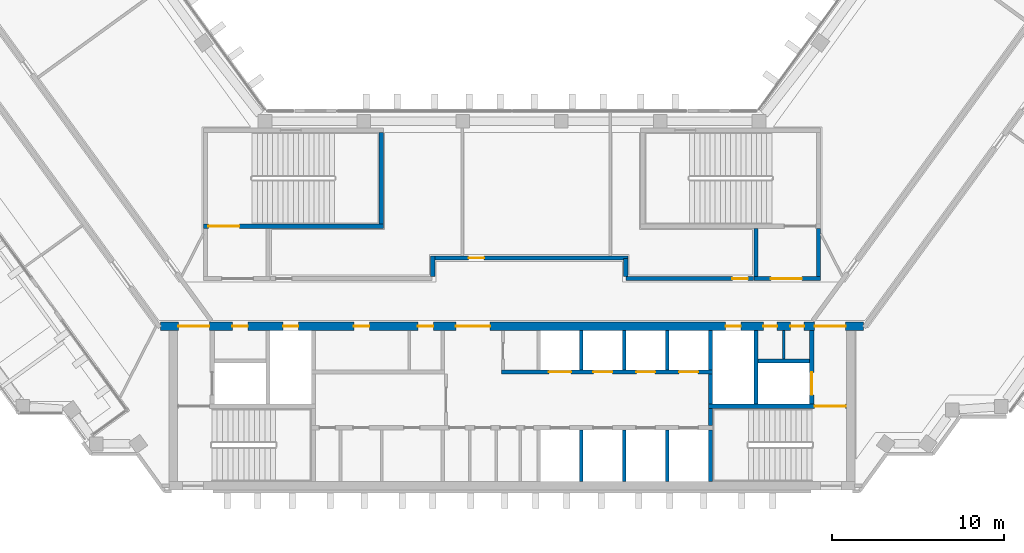
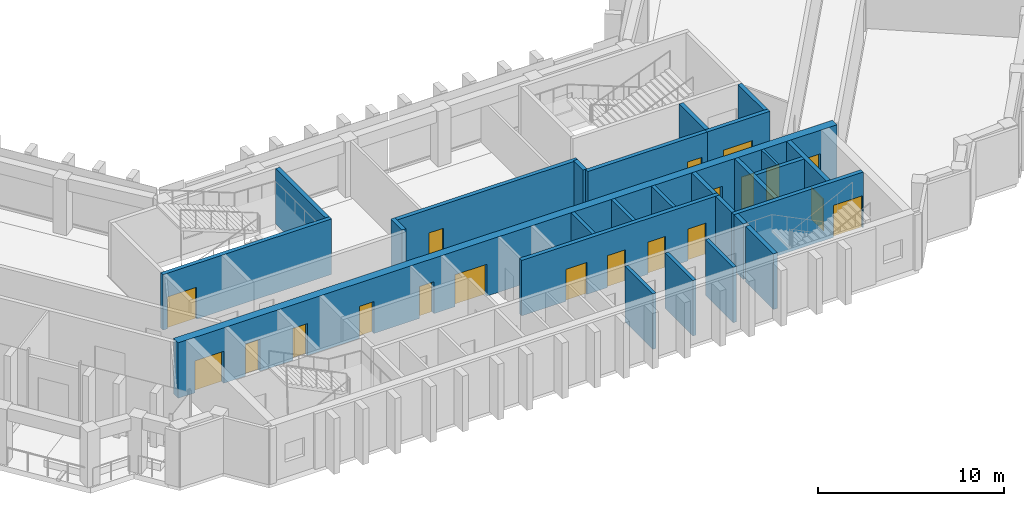
# One storey, part 7 of 12: 26 walls, 20 doors, 20 openings.
"""IFC4 building model written with IfcOpenShell, lengths in metres."""

from ifc_helpers import new_model, si_unit, direction, frame, frame_2d, origin, place, context, subcontext, project, spatial, rectangle, extrude, material, layer, layer_set, type_object, element, fill, save


model = new_model("IFC4")

# Units and contexts
model_context = context("Model", 3, precision=1e-05, world=origin(), true_north=direction((0.0, 1.0)))
body_context = subcontext(model_context, "Body", "Model", "MODEL_VIEW")
ifc_project = project(units=[si_unit("LENGTHUNIT", "METRE"), si_unit("AREAUNIT", "SQUARE_METRE"), si_unit("VOLUMEUNIT", "CUBIC_METRE"), si_unit("PLANEANGLEUNIT", "RADIAN"), si_unit("MASSUNIT", "GRAM", prefix="KILO")], contexts=[model_context])

# Site, building, storey
site_placement = place(None, origin())
site = spatial("IfcSite", under=ifc_project, at=site_placement, CompositionType="ELEMENT")
building_placement = place(site_placement, origin())
building = spatial("IfcBuilding", under=site, at=building_placement, Name="Quipu Civic Tower", CompositionType="ELEMENT")
storey_placement = place(building_placement, frame((0.0, 0.0, 164.0)))
storey = spatial("IfcBuildingStorey", under=building, at=storey_placement, Name="L38", CompositionType="ELEMENT", Elevation=164.0)

# Walls
ifc_material_1 = material(Name="Concrete C70/85", Category="concrete")
ifc_layer_1 = layer(ifc_material_1, 0.25)
ifc_layer_set_1 = layer_set([ifc_layer_1], Name="Concrete C70/85")
wall_type_1 = type_object("IfcWallType", Name="Core wall 250", PredefinedType="SHEAR", material=ifc_layer_set_1)
wall_1_placement = place(storey_placement, frame((11.574951171875, -10.5, 0.0), z_axis=(0.0, 0.0, 1.0), x_axis=(0.0, 1.0, 0.0)))
element("IfcWall", 1, at=wall_1_placement, inside=storey, type_object=wall_type_1, Name="Core wall", PredefinedType="SHEAR", context=body_context, shape_type="SweptSolid", body=[
    extrude(rectangle(XDim=3.0, YDim=0.25, at=frame_2d((1.5, 0.0))), origin(), (0.0, 0.0, 1.0), 3.64990234375),
])
wall_2_placement = place(storey_placement, frame((11.574951171875, -7.25, 0.0), z_axis=(0.0, 0.0, 1.0), x_axis=(0.0, 1.0, 0.0)))
element("IfcWall", 2, at=wall_2_placement, inside=storey, type_object=wall_type_1, Name="Core wall", PredefinedType="SHEAR", context=body_context, shape_type="SweptSolid", body=[
    extrude(rectangle(XDim=1.0, YDim=0.25, at=frame_2d((0.5, 0.0))), origin(), (0.0, 0.0, 1.0), 3.64990234375),
])

# Wall, opening, door
wall_3_placement = place(storey_placement, frame((19.5, -6.125, 0.0), z_axis=(0.0, 0.0, 1.0), x_axis=(-1.0, 0.0, 0.0)))
wall_3 = element("IfcWall", 3, at=wall_3_placement, inside=storey, type_object=wall_type_1, Name="Core wall", PredefinedType="SHEAR", context=body_context, shape_type="SweptSolid", body=[
    extrude(rectangle(XDim=8.050048828125, YDim=0.25, at=frame_2d((4.02490234375, 0.0))), origin(), (0.0, 0.0, 1.0), 3.64990234375),
])
opening_1_placement = place(wall_3_placement, frame((0.050048828125, 0.0, 0.0)))
opening_1 = element("IfcOpeningElement", 4, at=opening_1_placement, cuts=wall_3, Name="Opening CD-09", PredefinedType="OPENING", context=body_context, shape_type="SweptSolid", body=[
    extrude(rectangle(XDim=1.800048828125, YDim=2.10009765625, at=frame_2d((0.89990234375, 1.050048828125))), frame((0.0, 0.135009765625, 0.0), z_axis=(0.0, -1.0, 0.0), x_axis=(1.0, 0.0, 0.0)), (0.0, 0.0, 1.0), 0.27001953125),
])
ifc_material_2 = material(Name="Fire rated steel door", Category="steel")
door_type_1 = type_object("IfcDoorType", Name="Fire door FD90 double 1800 x 2100", OperationType="NOTDEFINED", PredefinedType="DOOR", material=ifc_material_2)
door_1_placement = place(opening_1_placement, origin())
door_1 = element("IfcDoor", 5, at=door_1_placement, inside=storey, type_object=door_type_1, Name="Door", OperationType="DOUBLE_DOOR_SINGLE_SWING", OverallHeight=2.10009765625, OverallWidth=1.800048828125, PredefinedType="DOOR", context=body_context, shape_type="SweptSolid", body=[
    extrude(rectangle(XDim=1.800048828125, YDim=2.10009765625, at=frame_2d((0.89990234375, 1.050048828125))), frame((0.0, 0.02490234375, 0.0), z_axis=(0.0, -1.0, 0.0), x_axis=(1.0, 0.0, 0.0)), (0.0, 0.0, 1.0), 0.050048828125),
])
fill(opening_1, door_1)

# Walls
wall_4_placement = place(storey_placement, frame((11.574951171875, -6.0, 0.0), z_axis=(0.0, 0.0, 1.0), x_axis=(0.0, 1.0, 0.0)))
element("IfcWall", 6, at=wall_4_placement, inside=storey, type_object=wall_type_1, Name="Core wall", PredefinedType="SHEAR", context=body_context, shape_type="SweptSolid", body=[
    extrude(rectangle(XDim=1.75, YDim=0.25, at=frame_2d((0.875, 0.0))), origin(), (0.0, 0.0, 1.0), 3.64990234375),
])
wall_5_placement = place(storey_placement, frame((14.22509765625, -6.0, 0.0), z_axis=(0.0, 0.0, 1.0), x_axis=(0.0, 1.0, 0.0)))
element("IfcWall", 7, at=wall_5_placement, inside=storey, type_object=wall_type_1, Name="Core wall", PredefinedType="SHEAR", context=body_context, shape_type="SweptSolid", body=[
    extrude(rectangle(XDim=4.300048828125, YDim=0.25, at=frame_2d((2.14990234375, 0.0))), origin(), (0.0, 0.0, 1.0), 3.64990234375),
])

# Wall, opening, door
wall_6_placement = place(storey_placement, frame((17.47509765625, -6.0, 0.0), z_axis=(0.0, 0.0, 1.0), x_axis=(0.0, 1.0, 0.0)))
wall_6 = element("IfcWall", 8, at=wall_6_placement, inside=storey, type_object=wall_type_1, Name="Core wall", PredefinedType="SHEAR", context=body_context, shape_type="SweptSolid", body=[
    extrude(rectangle(XDim=4.300048828125, YDim=0.25, at=frame_2d((2.14990234375, 0.0))), origin(), (0.0, 0.0, 1.0), 3.64990234375),
])
opening_2_placement = place(wall_6_placement, frame((0.550048828125, 0.0, 0.0)))
opening_2 = element("IfcOpeningElement", 9, at=opening_2_placement, cuts=wall_6, Name="Opening LD-FF2", PredefinedType="OPENING", context=body_context, shape_type="SweptSolid", body=[
    extrude(rectangle(XDim=1.300048828125, YDim=2.10009765625, at=frame_2d((0.64990234375, 1.050048828125))), frame((0.0, 0.135009765625, 0.0), z_axis=(0.0, -1.0, 0.0), x_axis=(1.0, 0.0, 0.0)), (0.0, 0.0, 1.0), 0.27001953125),
])
ifc_material_3 = material(Name="Stainless steel", Category="steel")
door_type_2 = type_object("IfcDoorType", Name="Lift landing door 1300 x 2100", OperationType="DOUBLE_DOOR_SLIDING", PredefinedType="DOOR", material=ifc_material_3)
door_2_placement = place(opening_2_placement, origin())
door_2 = element("IfcDoor", 10, at=door_2_placement, inside=storey, type_object=door_type_2, Name="Landing door FF2", OperationType="DOUBLE_DOOR_SLIDING", OverallHeight=2.10009765625, OverallWidth=1.300048828125, PredefinedType="DOOR", context=body_context, shape_type="SweptSolid", body=[
    extrude(rectangle(XDim=1.300048828125, YDim=2.10009765625, at=frame_2d((0.64990234375, 1.050048828125))), frame((0.0, 0.02490234375, 0.0), z_axis=(0.0, -1.0, 0.0), x_axis=(1.0, 0.0, 0.0)), (0.0, 0.0, 1.0), 0.050048828125),
])
fill(opening_2, door_2)

# Wall, openings, doors
wall_7_placement = place(storey_placement, frame((-0.60009765625, -4.125, 0.0), z_axis=(0.0, 0.0, 1.0), x_axis=(1.0, 0.0, 0.0)))
wall_7 = element("IfcWall", 11, at=wall_7_placement, inside=storey, type_object=wall_type_1, Name="Core wall", PredefinedType="SHEAR", context=body_context, shape_type="SweptSolid", body=[
    extrude(rectangle(XDim=12.300048828125, YDim=0.25, at=frame_2d((6.14990234375, 0.0))), origin(), (0.0, 0.0, 1.0), 3.64990234375),
])
opening_3_placement = place(wall_7_placement, frame((2.75, 0.0, 0.0)))
opening_3 = element("IfcOpeningElement", 12, at=opening_3_placement, cuts=wall_7, Name="Opening LD-FF3", PredefinedType="OPENING", context=body_context, shape_type="SweptSolid", body=[
    extrude(rectangle(XDim=1.300048828125, YDim=2.10009765625, at=frame_2d((0.64990234375, 1.050048828125))), frame((0.0, 0.135009765625, 0.0), z_axis=(0.0, -1.0, 0.0), x_axis=(1.0, 0.0, 0.0)), (0.0, 0.0, 1.0), 0.27001953125),
])
opening_4_placement = place(wall_7_placement, frame((5.35009765625, 0.0, 0.0)))
opening_4 = element("IfcOpeningElement", 13, at=opening_4_placement, cuts=wall_7, Name="Opening LD-ML5", PredefinedType="OPENING", context=body_context, shape_type="SweptSolid", body=[
    extrude(rectangle(XDim=1.10009765625, YDim=2.10009765625, at=frame_2d((0.550048828125, 1.050048828125))), frame((0.0, 0.135009765625, 0.0), z_axis=(0.0, -1.0, 0.0), x_axis=(1.0, 0.0, 0.0)), (0.0, 0.0, 1.0), 0.27001953125),
])
opening_5_placement = place(wall_7_placement, frame((7.85009765625, 0.0, 0.0)))
opening_5 = element("IfcOpeningElement", 14, at=opening_5_placement, cuts=wall_7, Name="Opening LD-ML6", PredefinedType="OPENING", context=body_context, shape_type="SweptSolid", body=[
    extrude(rectangle(XDim=1.10009765625, YDim=2.10009765625, at=frame_2d((0.550048828125, 1.050048828125))), frame((0.0, 0.135009765625, 0.0), z_axis=(0.0, -1.0, 0.0), x_axis=(1.0, 0.0, 0.0)), (0.0, 0.0, 1.0), 0.27001953125),
])
opening_6_placement = place(wall_7_placement, frame((10.35009765625, 0.0, 0.0)))
opening_6 = element("IfcOpeningElement", 15, at=opening_6_placement, cuts=wall_7, Name="Opening LD-ML7", PredefinedType="OPENING", context=body_context, shape_type="SweptSolid", body=[
    extrude(rectangle(XDim=1.10009765625, YDim=2.10009765625, at=frame_2d((0.550048828125, 1.050048828125))), frame((0.0, 0.135009765625, 0.0), z_axis=(0.0, -1.0, 0.0), x_axis=(1.0, 0.0, 0.0)), (0.0, 0.0, 1.0), 0.27001953125),
])
ifc_material_4 = material(Name="Stainless steel", Category="steel")
door_type_3 = type_object("IfcDoorType", Name="Lift landing door 1100 x 2100", OperationType="DOUBLE_DOOR_SLIDING", PredefinedType="DOOR", material=ifc_material_4)
door_3_placement = place(opening_4_placement, origin())
door_3 = element("IfcDoor", 16, at=door_3_placement, inside=storey, type_object=door_type_3, Name="Landing door ML5", OperationType="DOUBLE_DOOR_SLIDING", OverallHeight=2.10009765625, OverallWidth=1.10009765625, PredefinedType="DOOR", context=body_context, shape_type="SweptSolid", body=[
    extrude(rectangle(XDim=1.10009765625, YDim=2.10009765625, at=frame_2d((0.550048828125, 1.050048828125))), frame((0.0, 0.02490234375, 0.0), z_axis=(0.0, -1.0, 0.0), x_axis=(1.0, 0.0, 0.0)), (0.0, 0.0, 1.0), 0.050048828125),
])
fill(opening_4, door_3)
door_4_placement = place(opening_5_placement, origin())
door_4 = element("IfcDoor", 17, at=door_4_placement, inside=storey, type_object=door_type_3, Name="Landing door ML6", OperationType="DOUBLE_DOOR_SLIDING", OverallHeight=2.10009765625, OverallWidth=1.10009765625, PredefinedType="DOOR", context=body_context, shape_type="SweptSolid", body=[
    extrude(rectangle(XDim=1.10009765625, YDim=2.10009765625, at=frame_2d((0.550048828125, 1.050048828125))), frame((0.0, 0.02490234375, 0.0), z_axis=(0.0, -1.0, 0.0), x_axis=(1.0, 0.0, 0.0)), (0.0, 0.0, 1.0), 0.050048828125),
])
fill(opening_5, door_4)
door_5_placement = place(opening_6_placement, origin())
door_5 = element("IfcDoor", 18, at=door_5_placement, inside=storey, type_object=door_type_3, Name="Landing door ML7", OperationType="DOUBLE_DOOR_SLIDING", OverallHeight=2.10009765625, OverallWidth=1.10009765625, PredefinedType="DOOR", context=body_context, shape_type="SweptSolid", body=[
    extrude(rectangle(XDim=1.10009765625, YDim=2.10009765625, at=frame_2d((0.550048828125, 1.050048828125))), frame((0.0, 0.02490234375, 0.0), z_axis=(0.0, -1.0, 0.0), x_axis=(1.0, 0.0, 0.0)), (0.0, 0.0, 1.0), 0.050048828125),
])
fill(opening_6, door_5)
door_6_placement = place(opening_3_placement, origin())
door_6 = element("IfcDoor", 19, at=door_6_placement, inside=storey, type_object=door_type_2, Name="Landing door FF3", OperationType="DOUBLE_DOOR_SLIDING", OverallHeight=2.10009765625, OverallWidth=1.300048828125, PredefinedType="DOOR", context=body_context, shape_type="SweptSolid", body=[
    extrude(rectangle(XDim=1.300048828125, YDim=2.10009765625, at=frame_2d((0.64990234375, 1.050048828125))), frame((0.0, 0.02490234375, 0.0), z_axis=(0.0, -1.0, 0.0), x_axis=(1.0, 0.0, 0.0)), (0.0, 0.0, 1.0), 0.050048828125),
])
fill(opening_3, door_6)

# Walls
wall_8_placement = place(storey_placement, frame((11.574951171875, -4.0, 0.0), z_axis=(0.0, 0.0, 1.0), x_axis=(0.0, 1.0, 0.0)))
element("IfcWall", 20, at=wall_8_placement, inside=storey, type_object=wall_type_1, Name="Core wall", PredefinedType="SHEAR", context=body_context, shape_type="SweptSolid", body=[
    extrude(rectangle(XDim=2.300048828125, YDim=0.25, at=frame_2d((1.14990234375, 0.0))), origin(), (0.0, 0.0, 1.0), 3.64990234375),
])
wall_9_placement = place(storey_placement, frame((14.35009765625, -3.47509765625, 0.0), z_axis=(0.0, 0.0, 1.0), x_axis=(1.0, 0.0, 0.0)))
element("IfcWall", 21, at=wall_9_placement, inside=storey, type_object=wall_type_1, Name="Core wall", PredefinedType="SHEAR", context=body_context, shape_type="SweptSolid", body=[
    extrude(rectangle(XDim=3.0, YDim=0.25, at=frame_2d((1.5, 0.0))), origin(), (0.0, 0.0, 1.0), 3.64990234375),
])

# Wall, opening, door
wall_10_placement = place(storey_placement, frame((-18.0, 4.375, 0.0), z_axis=(0.0, 0.0, 1.0), x_axis=(1.0, 0.0, 0.0)))
wall_10 = element("IfcWall", 22, at=wall_10_placement, inside=storey, type_object=wall_type_1, Name="Core wall", PredefinedType="SHEAR", context=body_context, shape_type="SweptSolid", body=[
    extrude(rectangle(XDim=10.5, YDim=0.25, at=frame_2d((5.25, 0.0))), origin(), (0.0, 0.0, 1.0), 3.64990234375),
])
opening_7_placement = place(wall_10_placement, frame((0.300048828125, 0.0, 0.0)))
opening_7 = element("IfcOpeningElement", 23, at=opening_7_placement, cuts=wall_10, Name="Opening CD-23", PredefinedType="OPENING", context=body_context, shape_type="SweptSolid", body=[
    extrude(rectangle(XDim=1.800048828125, YDim=2.10009765625, at=frame_2d((0.89990234375, 1.050048828125))), frame((0.0, 0.135009765625, 0.0), z_axis=(0.0, -1.0, 0.0), x_axis=(1.0, 0.0, 0.0)), (0.0, 0.0, 1.0), 0.27001953125),
])
door_7_placement = place(opening_7_placement, origin())
door_7 = element("IfcDoor", 24, at=door_7_placement, inside=storey, type_object=door_type_1, Name="Door", OperationType="DOUBLE_DOOR_SINGLE_SWING", OverallHeight=2.10009765625, OverallWidth=1.800048828125, PredefinedType="DOOR", context=body_context, shape_type="SweptSolid", body=[
    extrude(rectangle(XDim=1.800048828125, YDim=2.10009765625, at=frame_2d((0.89990234375, 1.050048828125))), frame((0.0, 0.02490234375, 0.0), z_axis=(0.0, -1.0, 0.0), x_axis=(1.0, 0.0, 0.0)), (0.0, 0.0, 1.0), 0.050048828125),
])
fill(opening_7, door_7)

# Wall
wall_11_placement = place(storey_placement, frame((-7.625, 4.5, 0.0), z_axis=(0.0, 0.0, 1.0), x_axis=(0.0, 1.0, 0.0)))
element("IfcWall", 25, at=wall_11_placement, inside=storey, type_object=wall_type_1, Name="Core wall", PredefinedType="SHEAR", context=body_context, shape_type="SweptSolid", body=[
    extrude(rectangle(XDim=5.35009765625, YDim=0.25, at=frame_2d((2.675048828125, 0.0))), origin(), (0.0, 0.0, 1.0), 3.64990234375),
])

# Wall, opening, door
wall_12_placement = place(storey_placement, frame((14.10009765625, 1.324951171875, 0.0), z_axis=(0.0, 0.0, 1.0), x_axis=(1.0, 0.0, 0.0)))
wall_12 = element("IfcWall", 26, at=wall_12_placement, inside=storey, type_object=wall_type_1, Name="Core wall", PredefinedType="SHEAR", context=body_context, shape_type="SweptSolid", body=[
    extrude(rectangle(XDim=3.89990234375, YDim=0.25, at=frame_2d((1.949951171875, 0.0))), origin(), (0.0, 0.0, 1.0), 3.64990234375),
])
opening_8_placement = place(wall_12_placement, frame((1.0, 0.0, 0.0)))
opening_8 = element("IfcOpeningElement", 27, at=opening_8_placement, cuts=wall_12, Name="Opening CD-24", PredefinedType="OPENING", context=body_context, shape_type="SweptSolid", body=[
    extrude(rectangle(XDim=1.800048828125, YDim=2.10009765625, at=frame_2d((0.89990234375, 1.050048828125))), frame((0.0, 0.135009765625, 0.0), z_axis=(0.0, -1.0, 0.0), x_axis=(1.0, 0.0, 0.0)), (0.0, 0.0, 1.0), 0.27001953125),
])
door_8_placement = place(opening_8_placement, origin())
door_8 = element("IfcDoor", 28, at=door_8_placement, inside=storey, type_object=door_type_1, Name="Lobby door", OperationType="DOUBLE_DOOR_SINGLE_SWING", OverallHeight=2.10009765625, OverallWidth=1.800048828125, PredefinedType="DOOR", context=body_context, shape_type="SweptSolid", body=[
    extrude(rectangle(XDim=1.800048828125, YDim=2.10009765625, at=frame_2d((0.89990234375, 1.050048828125))), frame((0.0, 0.02490234375, 0.0), z_axis=(0.0, -1.0, 0.0), x_axis=(1.0, 0.0, 0.0)), (0.0, 0.0, 1.0), 0.050048828125),
])
fill(opening_8, door_8)

# Walls
for number, where, z_axis, x_axis, name in (
    (29, (14.22509765625, 1.449951171875, 0.0), (0.0, 0.0, 1.0), (0.0, 1.0, 0.0), "Core wall"),
    (30, (17.875, 1.449951171875, 0.0), (0.0, 0.0, 1.0), (0.0, 1.0, 0.0), "Core wall"),
):
    element("IfcWall", number, at=place(storey_placement, frame(where, z_axis=z_axis, x_axis=x_axis)), inside=storey, type_object=wall_type_1, Name=name, PredefinedType="SHEAR", context=body_context, shape_type="SweptSolid", body=[
        extrude(rectangle(XDim=2.800048828125, YDim=0.25, at=frame_2d((1.39990234375, 0.0))), origin(), (0.0, 0.0, 1.0), 3.64990234375),
    ])

# Wall, openings, doors
ifc_material_5 = material(Name="Concrete C70/85", Category="concrete")
ifc_layer_2 = layer(ifc_material_5, 0.5)
ifc_layer_set_2 = layer_set([ifc_layer_2], Name="Concrete C70/85")
wall_type_2 = type_object("IfcWallType", Name="Core wall 500", PredefinedType="SHEAR", material=ifc_layer_set_2)
wall_13_placement = place(storey_placement, frame((20.489990234375, -1.449951171875, 0.0), z_axis=(0.0, 0.0, 1.0), x_axis=(-1.0, 0.0, 0.0)))
wall_13 = element("IfcWall", 31, at=wall_13_placement, inside=storey, type_object=wall_type_2, Name="Core wall", PredefinedType="SHEAR", context=body_context, shape_type="SweptSolid", body=[
    extrude(rectangle(XDim=40.97998046875, YDim=0.5, at=frame_2d((20.489990234375, 0.0))), origin(), (0.0, 0.0, 1.0), 3.64990234375),
])
opening_9_placement = place(wall_13_placement, frame((38.139892578125, 0.0, 0.0)))
opening_9 = element("IfcOpeningElement", 32, at=opening_9_placement, cuts=wall_13, Name="Opening CD-12", PredefinedType="OPENING", context=body_context, shape_type="SweptSolid", body=[
    extrude(rectangle(XDim=1.800048828125, YDim=2.10009765625, at=frame_2d((0.89990234375, 1.050048828125))), frame((0.0, 0.260009765625, 0.0), z_axis=(0.0, -1.0, 0.0), x_axis=(1.0, 0.0, 0.0)), (0.0, 0.0, 1.0), 0.52001953125),
])
opening_10_placement = place(wall_13_placement, frame((35.889892578125, 0.0, 0.0)))
opening_10 = element("IfcOpeningElement", 33, at=opening_10_placement, cuts=wall_13, Name="Opening CD-13", PredefinedType="OPENING", context=body_context, shape_type="SweptSolid", body=[
    extrude(rectangle(XDim=0.89990234375, YDim=2.10009765625, at=frame_2d((0.449951171875, 1.050048828125))), frame((0.0, 0.260009765625, 0.0), z_axis=(0.0, -1.0, 0.0), x_axis=(1.0, 0.0, 0.0)), (0.0, 0.0, 1.0), 0.52001953125),
])
opening_11_placement = place(wall_13_placement, frame((32.93994140625, 0.0, 0.0)))
opening_11 = element("IfcOpeningElement", 34, at=opening_11_placement, cuts=wall_13, Name="Opening CD-14", PredefinedType="OPENING", context=body_context, shape_type="SweptSolid", body=[
    extrude(rectangle(XDim=0.89990234375, YDim=2.10009765625, at=frame_2d((0.449951171875, 1.050048828125))), frame((0.0, 0.260009765625, 0.0), z_axis=(0.0, -1.0, 0.0), x_axis=(1.0, 0.0, 0.0)), (0.0, 0.0, 1.0), 0.52001953125),
])
opening_12_placement = place(wall_13_placement, frame((28.802490234375, 0.0, 0.0)))
opening_12 = element("IfcOpeningElement", 35, at=opening_12_placement, cuts=wall_13, Name="Opening CD-15", PredefinedType="OPENING", context=body_context, shape_type="SweptSolid", body=[
    extrude(rectangle(XDim=0.89990234375, YDim=2.10009765625, at=frame_2d((0.449951171875, 1.050048828125))), frame((0.0, 0.260009765625, 0.0), z_axis=(0.0, -1.0, 0.0), x_axis=(1.0, 0.0, 0.0)), (0.0, 0.0, 1.0), 0.52001953125),
])
opening_13_placement = place(wall_13_placement, frame((25.077392578125, 0.0, 0.0)))
opening_13 = element("IfcOpeningElement", 36, at=opening_13_placement, cuts=wall_13, Name="Opening CD-16", PredefinedType="OPENING", context=body_context, shape_type="SweptSolid", body=[
    extrude(rectangle(XDim=0.89990234375, YDim=2.10009765625, at=frame_2d((0.449951171875, 1.050048828125))), frame((0.0, 0.260009765625, 0.0), z_axis=(0.0, -1.0, 0.0), x_axis=(1.0, 0.0, 0.0)), (0.0, 0.0, 1.0), 0.52001953125),
])
opening_14_placement = place(wall_13_placement, frame((21.764892578125, 0.0, 0.0)))
opening_14 = element("IfcOpeningElement", 37, at=opening_14_placement, cuts=wall_13, Name="Opening CD-17", PredefinedType="OPENING", context=body_context, shape_type="SweptSolid", body=[
    extrude(rectangle(XDim=2.0, YDim=2.10009765625, at=frame_2d((1.0, 1.050048828125))), frame((0.0, 0.260009765625, 0.0), z_axis=(0.0, -1.0, 0.0), x_axis=(1.0, 0.0, 0.0)), (0.0, 0.0, 1.0), 0.52001953125),
])
opening_15_placement = place(wall_13_placement, frame((7.139892578125, 0.0, 0.0)))
opening_15 = element("IfcOpeningElement", 38, at=opening_15_placement, cuts=wall_13, Name="Opening CD-18", PredefinedType="OPENING", context=body_context, shape_type="SweptSolid", body=[
    extrude(rectangle(XDim=0.89990234375, YDim=2.10009765625, at=frame_2d((0.449951171875, 1.050048828125))), frame((0.0, 0.260009765625, 0.0), z_axis=(0.0, -1.0, 0.0), x_axis=(1.0, 0.0, 0.0)), (0.0, 0.0, 1.0), 0.52001953125),
])
opening_16_placement = place(wall_13_placement, frame((5.027587890625, 0.0, 0.0)))
opening_16 = element("IfcOpeningElement", 39, at=opening_16_placement, cuts=wall_13, Name="Opening CD-19", PredefinedType="OPENING", context=body_context, shape_type="SweptSolid", body=[
    extrude(rectangle(XDim=0.800048828125, YDim=2.10009765625, at=frame_2d((0.39990234375, 1.050048828125))), frame((0.0, 0.260009765625, 0.0), z_axis=(0.0, -1.0, 0.0), x_axis=(1.0, 0.0, 0.0)), (0.0, 0.0, 1.0), 0.52001953125),
])
opening_17_placement = place(wall_13_placement, frame((3.452392578125, 0.0, 0.0)))
opening_17 = element("IfcOpeningElement", 40, at=opening_17_placement, cuts=wall_13, Name="Opening CD-20", PredefinedType="OPENING", context=body_context, shape_type="SweptSolid", body=[
    extrude(rectangle(XDim=0.800048828125, YDim=2.10009765625, at=frame_2d((0.39990234375, 1.050048828125))), frame((0.0, 0.260009765625, 0.0), z_axis=(0.0, -1.0, 0.0), x_axis=(1.0, 0.0, 0.0)), (0.0, 0.0, 1.0), 0.52001953125),
])
opening_18_placement = place(wall_13_placement, frame((1.0400390625, 0.0, 0.0)))
opening_18 = element("IfcOpeningElement", 41, at=opening_18_placement, cuts=wall_13, Name="Opening CD-21", PredefinedType="OPENING", context=body_context, shape_type="SweptSolid", body=[
    extrude(rectangle(XDim=1.800048828125, YDim=2.10009765625, at=frame_2d((0.89990234375, 1.050048828125))), frame((0.0, 0.260009765625, 0.0), z_axis=(0.0, -1.0, 0.0), x_axis=(1.0, 0.0, 0.0)), (0.0, 0.0, 1.0), 0.52001953125),
])
ifc_material_6 = material(Name="Fire rated steel door", Category="steel")
door_type_4 = type_object("IfcDoorType", Name="Fire door FD60 800 x 2100", OperationType="NOTDEFINED", PredefinedType="DOOR", material=ifc_material_6)
door_9_placement = place(opening_16_placement, origin())
door_9 = element("IfcDoor", 42, at=door_9_placement, inside=storey, type_object=door_type_4, Name="Door", OperationType="SINGLE_SWING_LEFT", OverallHeight=2.10009765625, OverallWidth=0.800048828125, PredefinedType="DOOR", context=body_context, shape_type="SweptSolid", body=[
    extrude(rectangle(XDim=0.800048828125, YDim=2.10009765625, at=frame_2d((0.39990234375, 1.050048828125))), frame((0.0, 0.02490234375, 0.0), z_axis=(0.0, -1.0, 0.0), x_axis=(1.0, 0.0, 0.0)), (0.0, 0.0, 1.0), 0.050048828125),
])
fill(opening_16, door_9)
door_10_placement = place(opening_17_placement, origin())
door_10 = element("IfcDoor", 43, at=door_10_placement, inside=storey, type_object=door_type_4, Name="Door", OperationType="SINGLE_SWING_LEFT", OverallHeight=2.10009765625, OverallWidth=0.800048828125, PredefinedType="DOOR", context=body_context, shape_type="SweptSolid", body=[
    extrude(rectangle(XDim=0.800048828125, YDim=2.10009765625, at=frame_2d((0.39990234375, 1.050048828125))), frame((0.0, 0.02490234375, 0.0), z_axis=(0.0, -1.0, 0.0), x_axis=(1.0, 0.0, 0.0)), (0.0, 0.0, 1.0), 0.050048828125),
])
fill(opening_17, door_10)
ifc_material_7 = material(Name="Fire rated steel door", Category="steel")
door_type_5 = type_object("IfcDoorType", Name="Fire door FD60 900 x 2100", OperationType="NOTDEFINED", PredefinedType="DOOR", material=ifc_material_7)
door_11_placement = place(opening_10_placement, origin())
door_11 = element("IfcDoor", 44, at=door_11_placement, inside=storey, type_object=door_type_5, Name="Door", OperationType="SINGLE_SWING_RIGHT", OverallHeight=2.10009765625, OverallWidth=0.89990234375, PredefinedType="DOOR", context=body_context, shape_type="SweptSolid", body=[
    extrude(rectangle(XDim=0.89990234375, YDim=2.10009765625, at=frame_2d((0.449951171875, 1.050048828125))), frame((0.0, 0.02490234375, 0.0), z_axis=(0.0, -1.0, 0.0), x_axis=(1.0, 0.0, 0.0)), (0.0, 0.0, 1.0), 0.050048828125),
])
fill(opening_10, door_11)
door_12_placement = place(opening_11_placement, origin())
door_12 = element("IfcDoor", 45, at=door_12_placement, inside=storey, type_object=door_type_5, Name="Riser door", OperationType="SINGLE_SWING_RIGHT", OverallHeight=2.10009765625, OverallWidth=0.89990234375, PredefinedType="DOOR", context=body_context, shape_type="SweptSolid", body=[
    extrude(rectangle(XDim=0.89990234375, YDim=2.10009765625, at=frame_2d((0.449951171875, 1.050048828125))), frame((0.0, 0.02490234375, 0.0), z_axis=(0.0, -1.0, 0.0), x_axis=(1.0, 0.0, 0.0)), (0.0, 0.0, 1.0), 0.050048828125),
])
fill(opening_11, door_12)
door_13_placement = place(opening_12_placement, origin())
door_13 = element("IfcDoor", 46, at=door_13_placement, inside=storey, type_object=door_type_5, Name="Door", OperationType="SINGLE_SWING_RIGHT", OverallHeight=2.10009765625, OverallWidth=0.89990234375, PredefinedType="DOOR", context=body_context, shape_type="SweptSolid", body=[
    extrude(rectangle(XDim=0.89990234375, YDim=2.10009765625, at=frame_2d((0.449951171875, 1.050048828125))), frame((0.0, 0.02490234375, 0.0), z_axis=(0.0, -1.0, 0.0), x_axis=(1.0, 0.0, 0.0)), (0.0, 0.0, 1.0), 0.050048828125),
])
fill(opening_12, door_13)
door_14_placement = place(opening_13_placement, origin())
door_14 = element("IfcDoor", 47, at=door_14_placement, inside=storey, type_object=door_type_5, Name="Door", OperationType="SINGLE_SWING_RIGHT", OverallHeight=2.10009765625, OverallWidth=0.89990234375, PredefinedType="DOOR", context=body_context, shape_type="SweptSolid", body=[
    extrude(rectangle(XDim=0.89990234375, YDim=2.10009765625, at=frame_2d((0.449951171875, 1.050048828125))), frame((0.0, 0.02490234375, 0.0), z_axis=(0.0, -1.0, 0.0), x_axis=(1.0, 0.0, 0.0)), (0.0, 0.0, 1.0), 0.050048828125),
])
fill(opening_13, door_14)
door_15_placement = place(opening_15_placement, origin())
door_15 = element("IfcDoor", 48, at=door_15_placement, inside=storey, type_object=door_type_5, Name="Riser door", OperationType="SINGLE_SWING_LEFT", OverallHeight=2.10009765625, OverallWidth=0.89990234375, PredefinedType="DOOR", context=body_context, shape_type="SweptSolid", body=[
    extrude(rectangle(XDim=0.89990234375, YDim=2.10009765625, at=frame_2d((0.449951171875, 1.050048828125))), frame((0.0, 0.02490234375, 0.0), z_axis=(0.0, -1.0, 0.0), x_axis=(1.0, 0.0, 0.0)), (0.0, 0.0, 1.0), 0.050048828125),
])
fill(opening_15, door_15)
door_16_placement = place(opening_9_placement, origin())
door_16 = element("IfcDoor", 49, at=door_16_placement, inside=storey, type_object=door_type_1, Name="Lobby door", OperationType="DOUBLE_DOOR_SINGLE_SWING", OverallHeight=2.10009765625, OverallWidth=1.800048828125, PredefinedType="DOOR", context=body_context, shape_type="SweptSolid", body=[
    extrude(rectangle(XDim=1.800048828125, YDim=2.10009765625, at=frame_2d((0.89990234375, 1.050048828125))), frame((0.0, 0.02490234375, 0.0), z_axis=(0.0, -1.0, 0.0), x_axis=(1.0, 0.0, 0.0)), (0.0, 0.0, 1.0), 0.050048828125),
])
fill(opening_9, door_16)
door_17_placement = place(opening_18_placement, origin())
door_17 = element("IfcDoor", 50, at=door_17_placement, inside=storey, type_object=door_type_1, Name="Lobby door", OperationType="DOUBLE_DOOR_SINGLE_SWING", OverallHeight=2.10009765625, OverallWidth=1.800048828125, PredefinedType="DOOR", context=body_context, shape_type="SweptSolid", body=[
    extrude(rectangle(XDim=1.800048828125, YDim=2.10009765625, at=frame_2d((0.89990234375, 1.050048828125))), frame((0.0, 0.02490234375, 0.0), z_axis=(0.0, -1.0, 0.0), x_axis=(1.0, 0.0, 0.0)), (0.0, 0.0, 1.0), 0.050048828125),
])
fill(opening_18, door_17)
ifc_material_8 = material(Name="Fire rated steel door", Category="steel")
door_type_6 = type_object("IfcDoorType", Name="Fire door FD90 double 2000 x 2100", OperationType="NOTDEFINED", PredefinedType="DOOR", material=ifc_material_8)
door_18_placement = place(opening_14_placement, origin())
door_18 = element("IfcDoor", 51, at=door_18_placement, inside=storey, type_object=door_type_6, Name="Lobby door", OperationType="DOUBLE_DOOR_SINGLE_SWING", OverallHeight=2.10009765625, OverallWidth=2.0, PredefinedType="DOOR", context=body_context, shape_type="SweptSolid", body=[
    extrude(rectangle(XDim=2.0, YDim=2.10009765625, at=frame_2d((1.0, 1.050048828125))), frame((0.0, 0.02490234375, 0.0), z_axis=(0.0, -1.0, 0.0), x_axis=(1.0, 0.0, 0.0)), (0.0, 0.0, 1.0), 0.050048828125),
])
fill(opening_14, door_18)

# Wall, opening, door
ifc_material_9 = material(Name="Concrete C50/60", Category="concrete")
ifc_layer_3 = layer(ifc_material_9, 0.25)
ifc_layer_set_3 = layer_set([ifc_layer_3], Name="Concrete C50/60")
wall_type_3 = type_object("IfcWallType", Name="Corridor wall 250 concrete", PredefinedType="SOLIDWALL", material=ifc_layer_set_3)
wall_14_placement = place(storey_placement, frame((6.65869140625, 1.324951171875, 0.0), z_axis=(0.0, 0.0, 1.0), x_axis=(1.0, 0.0, 0.0)))
wall_14 = element("IfcWall", 52, at=wall_14_placement, inside=storey, type_object=wall_type_3, Name="Corridor wall C01", PredefinedType="SOLIDWALL", context=body_context, shape_type="SweptSolid", body=[
    extrude(rectangle(XDim=7.431396484375, YDim=0.25, at=frame_2d((3.7158203125, 0.0))), origin(), (0.0, 0.0, 1.0), 3.64990234375),
])
opening_19_placement = place(wall_14_placement, frame((6.19140625, 0.0, 0.0)))
opening_19 = element("IfcOpeningElement", 53, at=opening_19_placement, cuts=wall_14, Name="Opening D009", PredefinedType="OPENING", context=body_context, shape_type="SweptSolid", body=[
    extrude(rectangle(XDim=0.89990234375, YDim=2.10009765625, at=frame_2d((0.449951171875, 1.050048828125))), frame((0.0, 0.135009765625, 0.0), z_axis=(0.0, -1.0, 0.0), x_axis=(1.0, 0.0, 0.0)), (0.0, 0.0, 1.0), 0.27001953125),
])
ifc_material_10 = material(Name="Fire rated timber door set with metal frame", Category="wood")
door_type_7 = type_object("IfcDoorType", Name="Single door 900 x 2100 FD60", OperationType="NOTDEFINED", PredefinedType="DOOR", material=ifc_material_10)
door_19_placement = place(opening_19_placement, origin())
door_19 = element("IfcDoor", 54, at=door_19_placement, inside=storey, type_object=door_type_7, Name="Door D009", OperationType="SINGLE_SWING_RIGHT", OverallHeight=2.10009765625, OverallWidth=0.89990234375, PredefinedType="DOOR", context=body_context, shape_type="SweptSolid", body=[
    extrude(rectangle(XDim=0.89990234375, YDim=2.10009765625, at=frame_2d((0.449951171875, 1.050048828125))), frame((0.0, 0.02490234375, 0.0), z_axis=(0.0, -1.0, 0.0), x_axis=(1.0, 0.0, 0.0)), (0.0, 0.0, 1.0), 0.050048828125),
])
fill(opening_19, door_19)

# Wall
wall_15_placement = place(storey_placement, frame((-4.625, 1.45361328125, 0.0), z_axis=(0.0, 0.0, 1.0), x_axis=(0.0, 1.0, 0.0)))
element("IfcWall", 55, at=wall_15_placement, inside=storey, type_object=wall_type_3, Name="Corridor wall C08", PredefinedType="SOLIDWALL", context=body_context, shape_type="SweptSolid", body=[
    extrude(rectangle(XDim=1.1962890625, YDim=0.25, at=frame_2d((0.59814453125, 0.0))), origin(), (0.0, 0.0, 1.0), 3.64990234375),
])

# Wall, opening, door
wall_16_placement = place(storey_placement, frame((-4.5, 2.52490234375, 0.0), z_axis=(0.0, 0.0, 1.0), x_axis=(1.0, 0.0, 0.0)))
wall_16 = element("IfcWall", 56, at=wall_16_placement, inside=storey, type_object=wall_type_3, Name="Corridor wall C09", PredefinedType="SOLIDWALL", context=body_context, shape_type="SweptSolid", body=[
    extrude(rectangle(XDim=11.25, YDim=0.25, at=frame_2d((5.625, 0.0))), origin(), (0.0, 0.0, 1.0), 3.64990234375),
])
opening_20_placement = place(wall_16_placement, frame((1.970947265625, 0.0, 0.0)))
opening_20 = element("IfcOpeningElement", 57, at=opening_20_placement, cuts=wall_16, Name="Opening D008", PredefinedType="OPENING", context=body_context, shape_type="SweptSolid", body=[
    extrude(rectangle(XDim=0.89990234375, YDim=2.10009765625, at=frame_2d((0.449951171875, 1.050048828125))), frame((0.0, 0.135009765625, 0.0), z_axis=(0.0, -1.0, 0.0), x_axis=(1.0, 0.0, 0.0)), (0.0, 0.0, 1.0), 0.27001953125),
])
door_20_placement = place(opening_20_placement, origin())
door_20 = element("IfcDoor", 58, at=door_20_placement, inside=storey, type_object=door_type_7, Name="Door D008", OperationType="SINGLE_SWING_LEFT", OverallHeight=2.10009765625, OverallWidth=0.89990234375, PredefinedType="DOOR", context=body_context, shape_type="SweptSolid", body=[
    extrude(rectangle(XDim=0.89990234375, YDim=2.10009765625, at=frame_2d((0.449951171875, 1.050048828125))), frame((0.0, 0.02490234375, 0.0), z_axis=(0.0, -1.0, 0.0), x_axis=(1.0, 0.0, 0.0)), (0.0, 0.0, 1.0), 0.050048828125),
])
fill(opening_20, door_20)

# Walls
wall_17_placement = place(storey_placement, frame((6.625, 2.483642578125, 0.0), z_axis=(0.0, 0.0, 1.0), x_axis=(0.0, -1.0, 0.0)))
element("IfcWall", 59, at=wall_17_placement, inside=storey, type_object=wall_type_3, Name="Corridor wall C10", PredefinedType="SOLIDWALL", context=body_context, shape_type="SweptSolid", body=[
    extrude(rectangle(XDim=1.030029296875, YDim=0.25, at=frame_2d((0.51513671875, 0.0))), origin(), (0.0, 0.0, 1.0), 3.64990234375),
])
ifc_material_11 = material(Name="Gypsum board partition")
ifc_layer_4 = layer(ifc_material_11, 0.14990234375)
ifc_layer_set_4 = layer_set([ifc_layer_4], Name="Gypsum board partition")
wall_type_4 = type_object("IfcWallType", Name="Partition 150", PredefinedType="PARTITIONING", material=ifc_layer_set_4)
wall_18_placement = place(storey_placement, frame((15.85009765625, -3.35009765625, 0.0), z_axis=(0.0, 0.0, 1.0), x_axis=(0.0, 1.0, 0.0)))
element("IfcWall", 60, at=wall_18_placement, inside=storey, type_object=wall_type_4, Name="Partition", PredefinedType="PARTITIONING", context=body_context, shape_type="SweptSolid", body=[
    extrude(rectangle(XDim=1.650146484375, YDim=0.14990234375, at=frame_2d((0.8251953125, 0.0))), origin(), (0.0, 0.0, 1.0), 3.64990234375),
])
ifc_material_12 = material(Name="Concrete C40/50", Category="concrete")
ifc_layer_5 = layer(ifc_material_12, 0.199951171875)
ifc_layer_set_5 = layer_set([ifc_layer_5], Name="Concrete C40/50")
wall_type_5 = type_object("IfcWallType", Name="Shaft wall 200", PredefinedType="SOLIDWALL", material=ifc_layer_set_5)
for number, where, z_axis, x_axis, name in (
    (61, (4.050048828125, -10.5, 0.0), (0.0, 0.0, 1.0), (0.0, 1.0, 0.0), "Shaft wall"),
    (62, (6.550048828125, -10.5, 0.0), (0.0, 0.0, 1.0), (0.0, 1.0, 0.0), "Shaft wall"),
    (63, (9.050048828125, -10.5, 0.0), (0.0, 0.0, 1.0), (0.0, 1.0, 0.0), "Shaft wall"),
):
    element("IfcWall", number, at=place(storey_placement, frame(where, z_axis=z_axis, x_axis=x_axis)), inside=storey, type_object=wall_type_5, Name=name, PredefinedType="SOLIDWALL", context=body_context, shape_type="SweptSolid", body=[
        extrude(rectangle(XDim=3.0, YDim=0.199951171875, at=frame_2d((1.5, 0.0))), origin(), (0.0, 0.0, 1.0), 3.64990234375),
    ])
for number, where, z_axis, x_axis, name in (
    (64, (4.050048828125, -4.0, 0.0), (0.0, 0.0, 1.0), (0.0, 1.0, 0.0), "Shaft wall"),
    (65, (6.550048828125, -4.0, 0.0), (0.0, 0.0, 1.0), (0.0, 1.0, 0.0), "Shaft wall"),
    (66, (9.050048828125, -4.0, 0.0), (0.0, 0.0, 1.0), (0.0, 1.0, 0.0), "Shaft wall"),
):
    element("IfcWall", number, at=place(storey_placement, frame(where, z_axis=z_axis, x_axis=x_axis)), inside=storey, type_object=wall_type_5, Name=name, PredefinedType="SOLIDWALL", context=body_context, shape_type="SweptSolid", body=[
        extrude(rectangle(XDim=2.300048828125, YDim=0.199951171875, at=frame_2d((1.14990234375, 0.0))), origin(), (0.0, 0.0, 1.0), 3.64990234375),
    ])

save(model, "model.ifc")
